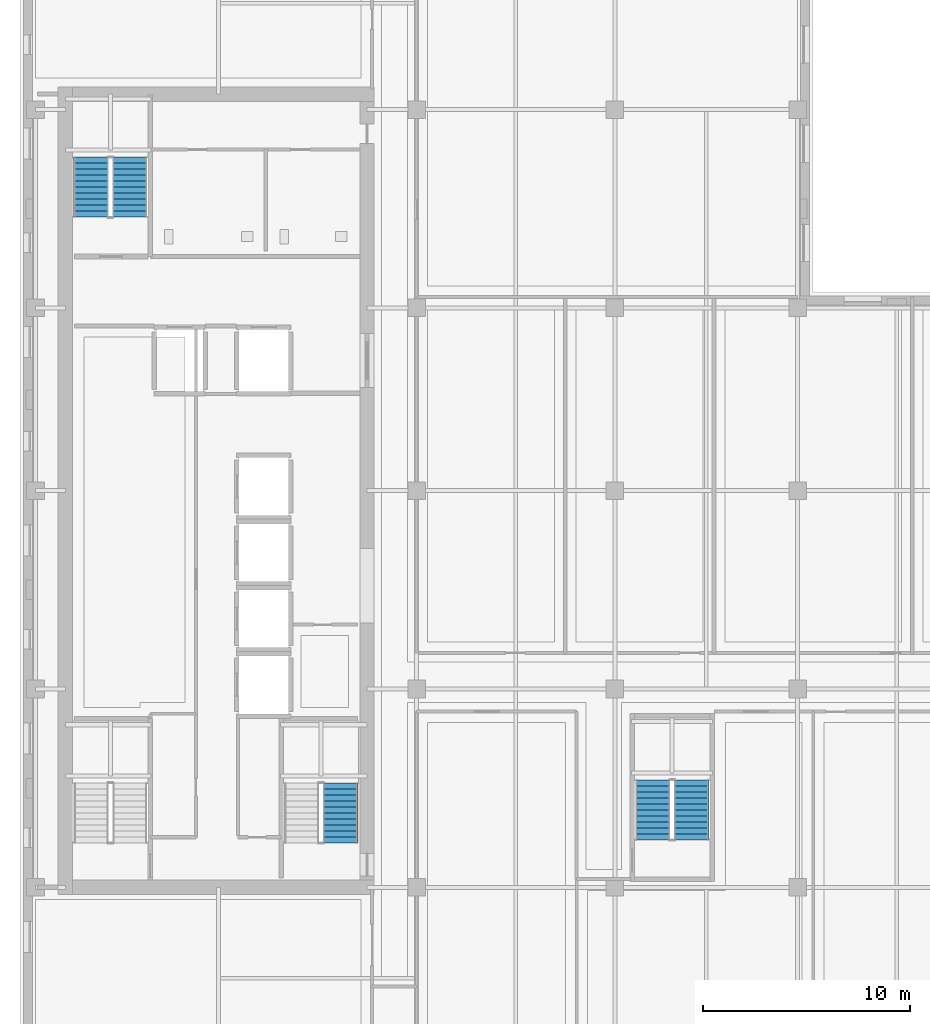
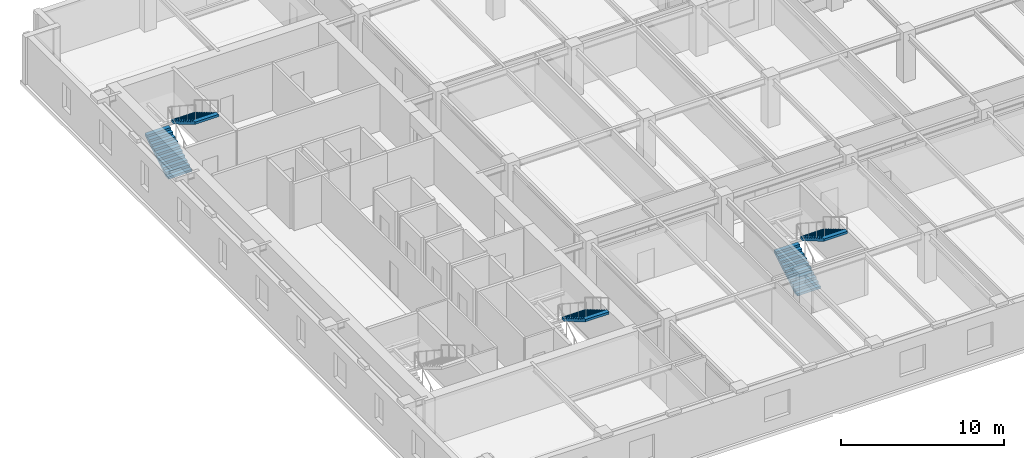
# One storey, part 7 of 11: 5 stair flights, 3 elements without a shape of their own.
"""IFC4 building model written with IfcOpenShell, lengths in metres."""

from ifc_helpers import new_model, si_unit, direction, frame, origin, place, context, subcontext, project, spatial, polyline, outline, extrude, material, type_object, element, aggregate, save


model = new_model("IFC4")

# Units and contexts
model_context = context("Model", 3, precision=1e-05, world=origin(), true_north=direction((0.0, 1.0)))
body_context = subcontext(model_context, "Body", "Model", "MODEL_VIEW")
ifc_project = project(units=[si_unit("LENGTHUNIT", "METRE"), si_unit("AREAUNIT", "SQUARE_METRE"), si_unit("VOLUMEUNIT", "CUBIC_METRE"), si_unit("PLANEANGLEUNIT", "RADIAN"), si_unit("MASSUNIT", "GRAM", prefix="KILO")], contexts=[model_context])

# Site, building, storey
site_placement = place(None, origin())
site = spatial("IfcSite", under=ifc_project, at=site_placement, CompositionType="ELEMENT")
building_placement = place(site_placement, origin())
building = spatial("IfcBuilding", under=site, at=building_placement, Name="Norrvale University Quadrangle", CompositionType="ELEMENT")
storey_placement = place(building_placement, frame((0.0, 0.0, 210.39990234375)))
storey = spatial("IfcBuildingStorey", under=building, at=storey_placement, Name="L53", CompositionType="ELEMENT", Elevation=210.39990234375)

# Stair, stair flights
ifc_material = material(Name="Concrete C40/50", Category="concrete")
stair_type = type_object("IfcStairType", Name="Stair Tower Typ 3800", PredefinedType="TWO_STRAIGHT_RUN_STAIR", material=ifc_material)
stair_1_placement = place(storey_placement, origin())
stair_1 = element("IfcStair", 1, at=stair_1_placement, inside=storey, type_object=stair_type, Name="Exit Stair ST-02 L53", PredefinedType="TWO_STRAIGHT_RUN_STAIR")
stair_flight_type = type_object("IfcStairFlightType", Name="Flight Typ 1500", PredefinedType="STRAIGHT", material=ifc_material)
stair_flight_1_placement = place(storey_placement, frame((3.429931640625, 42.050048828125, 0.0), z_axis=(0.0, 0.0, 1.0), x_axis=(0.0, 1.0, 0.0)))
stair_flight_1 = element("IfcStairFlight", 2, at=stair_flight_1_placement, type_object=stair_flight_type, Name="Exit Stair ST-02 L53 Lower Flight", NumberOfRisers=11, NumberOfTreads=10, PredefinedType="STRAIGHT", RiserHeight=0.172727, TreadLength=0.29, context=body_context, shape_type="SweptSolid", body=[
    extrude(outline(polyline([(0.0, 0.0), (0.0, 0.172607421875), (0.2900390625, 0.172607421875), (0.2900390625, 0.345458984375), (0.580078125, 0.345458984375), (0.580078125, 0.51806640625), (0.8701171875, 0.51806640625), (0.8701171875, 0.69091796875), (1.159912109375, 0.69091796875), (1.159912109375, 0.863525390625), (1.449951171875, 0.863525390625), (1.449951171875, 1.036376953125), (1.739990234375, 1.036376953125), (1.739990234375, 1.208984375), (2.030029296875, 1.208984375), (2.030029296875, 1.3818359375), (2.320068359375, 1.3818359375), (2.320068359375, 1.554443359375), (2.610107421875, 1.554443359375), (2.610107421875, 1.727294921875), (2.89990234375, 1.727294921875), (2.89990234375, 1.89990234375), (2.89990234375, 1.552734375), (0.29296875, 0.0), (0.0, 0.0)])), frame((0.0, 0.83984375, 0.0), z_axis=(0.0, -1.0, 0.0), x_axis=(1.0, 0.0, 0.0)), (0.0, 0.0, 1.0), 1.679931640625),
])
stair_flight_2_placement = place(storey_placement, frame((5.320068359375, 44.949951171875, 1.900146484375), z_axis=(0.0, 0.0, 1.0), x_axis=(0.0, -1.0, 0.0)))
stair_flight_2 = element("IfcStairFlight", 3, at=stair_flight_2_placement, type_object=stair_flight_type, Name="Exit Stair ST-02 L53 Upper Flight", NumberOfRisers=11, NumberOfTreads=10, PredefinedType="STRAIGHT", RiserHeight=0.172727, TreadLength=0.29, context=body_context, shape_type="SweptSolid", body=[
    extrude(outline(polyline([(0.0, 0.0), (0.0, 0.172607421875), (0.2900390625, 0.172607421875), (0.2900390625, 0.345458984375), (0.580078125, 0.345458984375), (0.580078125, 0.51806640625), (0.8701171875, 0.51806640625), (0.8701171875, 0.69091796875), (1.159912109375, 0.69091796875), (1.159912109375, 0.863525390625), (1.449951171875, 0.863525390625), (1.449951171875, 1.036376953125), (1.739990234375, 1.036376953125), (1.739990234375, 1.208984375), (2.030029296875, 1.208984375), (2.030029296875, 1.3818359375), (2.320068359375, 1.3818359375), (2.320068359375, 1.554443359375), (2.610107421875, 1.554443359375), (2.610107421875, 1.727294921875), (2.89990234375, 1.727294921875), (2.89990234375, 1.89990234375), (2.89990234375, 1.552734375), (0.29296875, 0.0), (0.0, 0.0)])), frame((0.0, 0.83984375, 0.0), z_axis=(0.0, -1.0, 0.0), x_axis=(1.0, 0.0, 0.0)), (0.0, 0.0, 1.0), 1.679931640625),
])
aggregate(stair_1, [stair_flight_1, stair_flight_2])

# Stair, stair flight
stair_2_placement = place(storey_placement, origin())
stair_2 = element("IfcStair", 4, at=stair_2_placement, inside=storey, type_object=stair_type, Name="Exit Stair ST-03 L53", PredefinedType="TWO_STRAIGHT_RUN_STAIR")
stair_flight_3_placement = place(storey_placement, frame((15.52001953125, 14.64990234375, 1.900146484375), z_axis=(0.0, 0.0, 1.0), x_axis=(0.0, -1.0, 0.0)))
stair_flight_3 = element("IfcStairFlight", 5, at=stair_flight_3_placement, type_object=stair_flight_type, Name="Exit Stair ST-03 L53 Upper Flight", NumberOfRisers=11, NumberOfTreads=10, PredefinedType="STRAIGHT", RiserHeight=0.172727, TreadLength=0.29, context=body_context, shape_type="SweptSolid", body=[
    extrude(outline(polyline([(0.0, 0.0), (0.0, 0.172607421875), (0.2900390625, 0.172607421875), (0.2900390625, 0.345458984375), (0.580078125, 0.345458984375), (0.580078125, 0.51806640625), (0.8701171875, 0.51806640625), (0.8701171875, 0.69091796875), (1.159912109375, 0.69091796875), (1.159912109375, 0.863525390625), (1.449951171875, 0.863525390625), (1.449951171875, 1.036376953125), (1.739990234375, 1.036376953125), (1.739990234375, 1.208984375), (2.030029296875, 1.208984375), (2.030029296875, 1.3818359375), (2.320068359375, 1.3818359375), (2.320068359375, 1.554443359375), (2.610107421875, 1.554443359375), (2.610107421875, 1.727294921875), (2.89990234375, 1.727294921875), (2.89990234375, 1.89990234375), (2.89990234375, 1.552734375), (0.29296875, 0.0), (0.0, 0.0)])), frame((0.0, 0.83984375, 0.0), z_axis=(0.0, -1.0, 0.0), x_axis=(1.0, 0.0, 0.0)), (0.0, 0.0, 1.0), 1.679931640625),
])
aggregate(stair_2, [stair_flight_3])

# Stair, stair flights
stair_3_placement = place(storey_placement, origin())
stair_3 = element("IfcStair", 6, at=stair_3_placement, inside=storey, type_object=stair_type, Name="Exit Stair ST-04 L53", PredefinedType="TWO_STRAIGHT_RUN_STAIR")
stair_flight_4_placement = place(storey_placement, frame((30.6298828125, 11.89990234375, 0.0), z_axis=(0.0, 0.0, 1.0), x_axis=(0.0, 1.0, 0.0)))
stair_flight_4 = element("IfcStairFlight", 7, at=stair_flight_4_placement, type_object=stair_flight_type, Name="Exit Stair ST-04 L53 Lower Flight", NumberOfRisers=11, NumberOfTreads=10, PredefinedType="STRAIGHT", RiserHeight=0.172727, TreadLength=0.29, context=body_context, shape_type="SweptSolid", body=[
    extrude(outline(polyline([(0.0, 0.0), (0.0, 0.172607421875), (0.2900390625, 0.172607421875), (0.2900390625, 0.345458984375), (0.580078125, 0.345458984375), (0.580078125, 0.51806640625), (0.8701171875, 0.51806640625), (0.8701171875, 0.69091796875), (1.159912109375, 0.69091796875), (1.159912109375, 0.863525390625), (1.449951171875, 0.863525390625), (1.449951171875, 1.036376953125), (1.739990234375, 1.036376953125), (1.739990234375, 1.208984375), (2.030029296875, 1.208984375), (2.030029296875, 1.3818359375), (2.320068359375, 1.3818359375), (2.320068359375, 1.554443359375), (2.610107421875, 1.554443359375), (2.610107421875, 1.727294921875), (2.89990234375, 1.727294921875), (2.89990234375, 1.89990234375), (2.89990234375, 1.552734375), (0.29296875, 0.0), (0.0, 0.0)])), frame((0.0, 0.83984375, 0.0), z_axis=(0.0, -1.0, 0.0), x_axis=(1.0, 0.0, 0.0)), (0.0, 0.0, 1.0), 1.679931640625),
])
stair_flight_5_placement = place(storey_placement, frame((32.52001953125, 14.800048828125, 1.900146484375), z_axis=(0.0, 0.0, 1.0), x_axis=(0.0, -1.0, 0.0)))
stair_flight_5 = element("IfcStairFlight", 8, at=stair_flight_5_placement, type_object=stair_flight_type, Name="Exit Stair ST-04 L53 Upper Flight", NumberOfRisers=11, NumberOfTreads=10, PredefinedType="STRAIGHT", RiserHeight=0.172727, TreadLength=0.29, context=body_context, shape_type="SweptSolid", body=[
    extrude(outline(polyline([(0.0, 0.0), (0.0, 0.172607421875), (0.2900390625, 0.172607421875), (0.2900390625, 0.345458984375), (0.580078125, 0.345458984375), (0.580078125, 0.51806640625), (0.8701171875, 0.51806640625), (0.8701171875, 0.69091796875), (1.159912109375, 0.69091796875), (1.159912109375, 0.863525390625), (1.449951171875, 0.863525390625), (1.449951171875, 1.036376953125), (1.739990234375, 1.036376953125), (1.739990234375, 1.208984375), (2.030029296875, 1.208984375), (2.030029296875, 1.3818359375), (2.320068359375, 1.3818359375), (2.320068359375, 1.554443359375), (2.610107421875, 1.554443359375), (2.610107421875, 1.727294921875), (2.89990234375, 1.727294921875), (2.89990234375, 1.89990234375), (2.89990234375, 1.552734375), (0.29296875, 0.0), (0.0, 0.0)])), frame((0.0, 0.83984375, 0.0), z_axis=(0.0, -1.0, 0.0), x_axis=(1.0, 0.0, 0.0)), (0.0, 0.0, 1.0), 1.679931640625),
])
aggregate(stair_3, [stair_flight_4, stair_flight_5])

save(model, "model.ifc")
